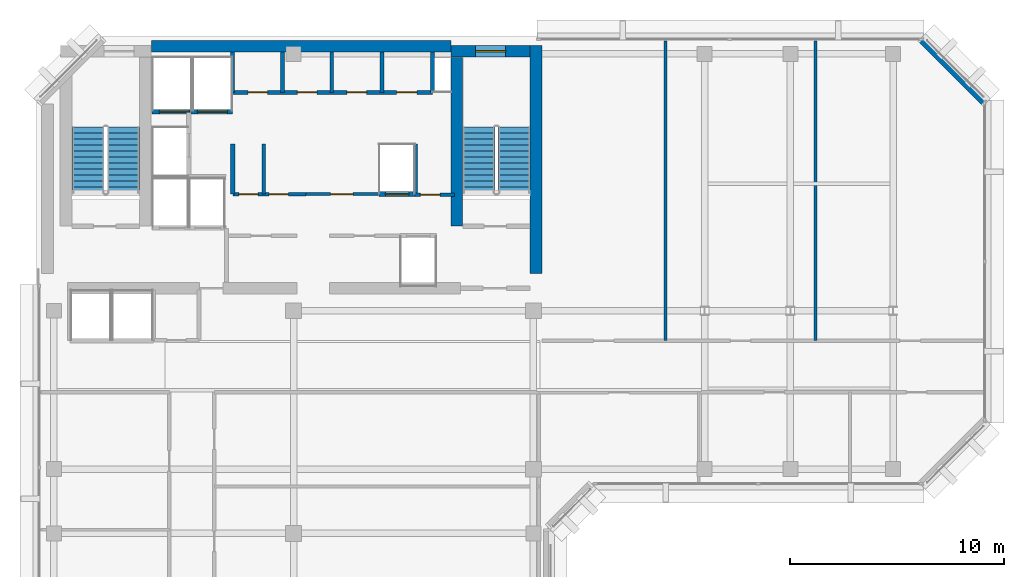
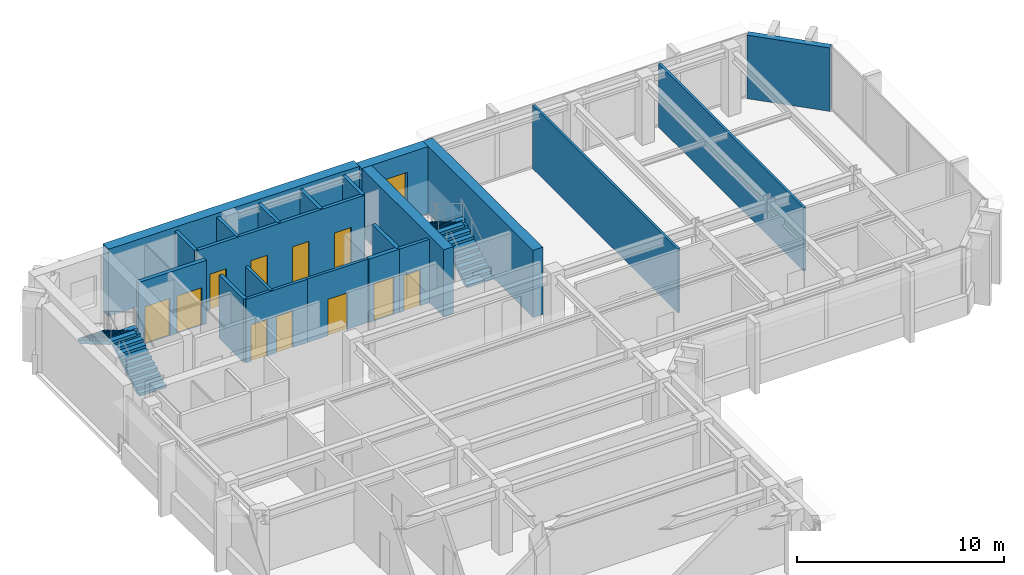
# One storey, part 8 of 12: 21 walls, 11 doors, 4 stair flights, 1 window, 12 openings, 2 elements without a shape of their own.
"""IFC4 building model written with IfcOpenShell, lengths in metres."""

from ifc_helpers import new_model, si_unit, direction, frame, frame_2d, origin, place, context, subcontext, project, spatial, polyline, rectangle, outline, extrude, material, layer, layer_set, type_object, element, fill, aggregate, save


model = new_model("IFC4")

# Units and contexts
model_context = context("Model", 3, precision=1e-05, world=origin(), true_north=direction((0.0, 1.0)))
body_context = subcontext(model_context, "Body", "Model", "MODEL_VIEW")
ifc_project = project(units=[si_unit("LENGTHUNIT", "METRE"), si_unit("AREAUNIT", "SQUARE_METRE"), si_unit("VOLUMEUNIT", "CUBIC_METRE"), si_unit("PLANEANGLEUNIT", "RADIAN"), si_unit("MASSUNIT", "GRAM", prefix="KILO")], contexts=[model_context])

# Site, building, storey
site_placement = place(None, origin())
site = spatial("IfcSite", under=ifc_project, at=site_placement, CompositionType="ELEMENT")
building_placement = place(site_placement, origin())
building = spatial("IfcBuilding", under=site, at=building_placement, Name="Kefirva Bronze Tower", CompositionType="ELEMENT")
storey_placement = place(building_placement, frame((0.0, 0.0, 296.010009765625)))
storey = spatial("IfcBuildingStorey", under=building, at=storey_placement, Name="L72", CompositionType="ELEMENT", Elevation=296.010009765625)

# Walls
ifc_material_1 = material(Name="Gypsum acoustic partition")
ifc_layer_1 = layer(ifc_material_1, 0.1298828125, Name="Gypsum acoustic partition")
ifc_layer_set_1 = layer_set([ifc_layer_1], Name="Gypsum acoustic partition")
wall_type_1 = type_object("IfcWallType", Name="Acoustic Office Partition 130mm", PredefinedType="PARTITIONING", material=ifc_layer_set_1)
for number, where, z_axis, x_axis, name in (
    (1, (29.370849609375, 31.800048828125, 0.0), (0.0, 0.0, 1.0), (0.0, 1.0, 0.0), "L72 Partition W-L72-END1"),
    (2, (36.378173828125, 31.800048828125, 0.0), (0.0, 0.0, 1.0), (0.0, 1.0, 0.0), "L72 Partition W-L72-END2"),
):
    element("IfcWall", number, at=place(storey_placement, frame(where, z_axis=z_axis, x_axis=x_axis)), inside=storey, type_object=wall_type_1, Name=name, PredefinedType="PARTITIONING", context=body_context, shape_type="SweptSolid", body=[
        extrude(rectangle(XDim=14.010009765625, YDim=0.1298828125, at=frame_2d((7.0048828125, 0.0))), origin(), (0.0, 0.0, 1.0), 3.739990234375),
    ])

# Wall, opening, door
ifc_layer_2 = layer(ifc_material_1, 0.14990234375, Name="Gypsum acoustic partition")
ifc_layer_set_2 = layer_set([ifc_layer_2], Name="Gypsum acoustic partition")
wall_type_2 = type_object("IfcWallType", Name="Executive Suite Partition 150mm", PredefinedType="PARTITIONING", material=ifc_layer_set_2)
wall_1_placement = place(storey_placement, frame((12.580078125, 38.64990234375, 0.0), z_axis=(0.0, 0.0, 1.0), x_axis=(1.0, 0.0, 0.0)))
wall_1 = element("IfcWall", 3, at=wall_1_placement, inside=storey, type_object=wall_type_2, Name="L72 Partition W-L72-RECMP2", PredefinedType="PARTITIONING", context=body_context, shape_type="SweptSolid", body=[
    extrude(rectangle(XDim=3.3798828125, YDim=0.14990234375, at=frame_2d((1.68994140625, 0.0))), origin(), (0.0, 0.0, 1.0), 3.739990234375),
])
opening_1_placement = place(wall_1_placement, frame((2.199951171875, 0.0, 0.0), z_axis=(0.0, 0.0, 1.0), x_axis=(-1.0, 0.0, 0.0)))
opening_1 = element("IfcOpeningElement", 4, at=opening_1_placement, cuts=wall_1, Name="Opening L72-D-RECMP2", PredefinedType="OPENING", context=body_context, shape_type="SweptSolid", body=[
    extrude(rectangle(XDim=1.050048828125, YDim=2.14990234375, at=frame_2d((0.52490234375, 1.074951171875))), frame((0.0, 0.0849609375, 0.0), z_axis=(0.0, -1.0, 0.0), x_axis=(1.0, 0.0, 0.0)), (0.0, 0.0, 1.0), 0.169921875),
])
ifc_material_2 = material(Name="Acoustic hardwood oak", Category="wood")
door_type_1 = type_object("IfcDoorType", Name="Executive & Boardroom Door 1050x2150", OperationType="NOTDEFINED", PredefinedType="DOOR", material=ifc_material_2)
door_1_placement = place(opening_1_placement, origin())
door_1 = element("IfcDoor", 5, at=door_1_placement, inside=storey, type_object=door_type_1, Name="Door L72-D-RECMP2", OperationType="SINGLE_SWING_RIGHT", OverallHeight=2.14990234375, OverallWidth=1.050048828125, PredefinedType="DOOR", context=body_context, shape_type="SweptSolid", body=[
    extrude(rectangle(XDim=1.050048828125, YDim=2.14990234375, at=frame_2d((0.52490234375, 1.074951171875))), frame((0.0, 0.02490234375, 0.0), z_axis=(0.0, -1.0, 0.0), x_axis=(1.0, 0.0, 0.0)), (0.0, 0.0, 1.0), 0.050048828125),
])
fill(opening_1, door_1)

# Wall, openings, doors
ifc_material_3 = material(Name="Gypsum fireboard shaftwall")
ifc_layer_3 = layer(ifc_material_3, 0.219970703125, Name="Gypsum fireboard shaftwall")
ifc_layer_set_3 = layer_set([ifc_layer_3], Name="Gypsum fireboard shaftwall")
wall_type_3 = type_object("IfcWallType", Name="Fire-Rated Shaft Enclosure Wall 220mm", PredefinedType="PARTITIONING", material=ifc_layer_set_3)
wall_2_placement = place(storey_placement, frame((5.3798828125, 42.5, 0.0), z_axis=(0.0, 0.0, 1.0), x_axis=(1.0, 0.0, 0.0)))
wall_2 = element("IfcWall", 6, at=wall_2_placement, inside=storey, type_object=wall_type_3, Name="L72 Partition W-L72-SVS", PredefinedType="PARTITIONING", context=body_context, shape_type="SweptSolid", body=[
    extrude(rectangle(XDim=3.77001953125, YDim=0.219970703125, at=frame_2d((1.885009765625, 0.0))), origin(), (0.0, 0.0, 1.0), 3.739990234375),
])
opening_2_placement = place(wall_2_placement, frame((1.75, 0.0, 0.0), z_axis=(0.0, 0.0, 1.0), x_axis=(-1.0, 0.0, 0.0)))
opening_2 = element("IfcOpeningElement", 7, at=opening_2_placement, cuts=wall_2, Name="Opening L72-LD-SV1", PredefinedType="OPENING", context=body_context, shape_type="SweptSolid", body=[
    extrude(rectangle(XDim=1.39990234375, YDim=2.199951171875, at=frame_2d((0.699951171875, 1.10009765625))), frame((0.0, 0.1201171875, 0.0), z_axis=(0.0, -1.0, 0.0), x_axis=(1.0, 0.0, 0.0)), (0.0, 0.0, 1.0), 0.239990234375),
])
opening_3_placement = place(wall_2_placement, frame((3.52978515625, 0.0, 0.0), z_axis=(0.0, 0.0, 1.0), x_axis=(-1.0, 0.0, 0.0)))
opening_3 = element("IfcOpeningElement", 8, at=opening_3_placement, cuts=wall_2, Name="Opening L72-LD-SV2", PredefinedType="OPENING", context=body_context, shape_type="SweptSolid", body=[
    extrude(rectangle(XDim=1.39990234375, YDim=2.199951171875, at=frame_2d((0.699951171875, 1.10009765625))), frame((0.0, 0.1201171875, 0.0), z_axis=(0.0, -1.0, 0.0), x_axis=(1.0, 0.0, 0.0)), (0.0, 0.0, 1.0), 0.239990234375),
])
ifc_material_4 = material(Name="Stainless steel 316", Category="steel")
door_type_2 = type_object("IfcDoorType", Name="Goods Lift Bi-Parting Sliding Door 1400x2200", OperationType="SLIDING_TO_LEFT", PredefinedType="DOOR", material=ifc_material_4)
door_2_placement = place(opening_2_placement, origin())
door_2 = element("IfcDoor", 9, at=door_2_placement, inside=storey, type_object=door_type_2, Name="Door L72-LD-SV1", OperationType="SLIDING_TO_LEFT", OverallHeight=2.199951171875, OverallWidth=1.39990234375, PredefinedType="DOOR", context=body_context, shape_type="SweptSolid", body=[
    extrude(rectangle(XDim=1.39990234375, YDim=2.199951171875, at=frame_2d((0.699951171875, 1.10009765625))), frame((0.0, 0.02490234375, 0.0), z_axis=(0.0, -1.0, 0.0), x_axis=(1.0, 0.0, 0.0)), (0.0, 0.0, 1.0), 0.050048828125),
])
fill(opening_2, door_2)
door_3_placement = place(opening_3_placement, origin())
door_3 = element("IfcDoor", 10, at=door_3_placement, inside=storey, type_object=door_type_2, Name="Door L72-LD-SV2", OperationType="SLIDING_TO_LEFT", OverallHeight=2.199951171875, OverallWidth=1.39990234375, PredefinedType="DOOR", context=body_context, shape_type="SweptSolid", body=[
    extrude(rectangle(XDim=1.39990234375, YDim=2.199951171875, at=frame_2d((0.699951171875, 1.10009765625))), frame((0.0, 0.02490234375, 0.0), z_axis=(0.0, -1.0, 0.0), x_axis=(1.0, 0.0, 0.0)), (0.0, 0.0, 1.0), 0.050048828125),
])
fill(opening_3, door_3)

# Walls
for number, where, z_axis, x_axis, name in (
    (11, (9.159912109375, 38.64990234375, 0.0), (0.0, 0.0, 1.0), (0.0, 1.0, 0.0), "L72 Partition W-L72-LP3W"),
    (12, (17.679931640625, 38.64990234375, 0.0), (0.0, 0.0, 1.0), (0.0, 1.0, 0.0), "L72 Partition W-L72-HP2E"),
):
    element("IfcWall", number, at=place(storey_placement, frame(where, z_axis=z_axis, x_axis=x_axis)), inside=storey, type_object=wall_type_3, Name=name, PredefinedType="PARTITIONING", context=body_context, shape_type="SweptSolid", body=[
        extrude(rectangle(XDim=2.35009765625, YDim=0.199951171875, at=frame_2d((1.175048828125, 0.0))), origin(), (0.0, 0.0, 1.0), 3.739990234375),
    ])

# Wall, opening, door
wall_3_placement = place(storey_placement, frame((15.97998046875, 38.64990234375, 0.0), z_axis=(0.0, 0.0, 1.0), x_axis=(1.0, 0.0, 0.0)))
wall_3 = element("IfcWall", 13, at=wall_3_placement, inside=storey, type_object=wall_type_3, Name="L72 Partition W-L72-HPN", PredefinedType="PARTITIONING", context=body_context, shape_type="SweptSolid", body=[
    extrude(rectangle(XDim=1.719970703125, YDim=0.219970703125, at=frame_2d((0.85986328125, 0.0))), origin(), (0.0, 0.0, 1.0), 3.739990234375),
])
opening_4_placement = place(wall_3_placement, frame((0.300048828125, 0.0, 0.0)))
opening_4 = element("IfcOpeningElement", 14, at=opening_4_placement, cuts=wall_3, Name="Opening L72-LD-HP2", PredefinedType="OPENING", context=body_context, shape_type="SweptSolid", body=[
    extrude(rectangle(XDim=1.10009765625, YDim=2.199951171875, at=frame_2d((0.550048828125, 1.10009765625))), frame((0.0, 0.1201171875, 0.0), z_axis=(0.0, -1.0, 0.0), x_axis=(1.0, 0.0, 0.0)), (0.0, 0.0, 1.0), 0.239990234375),
])
door_type_3 = type_object("IfcDoorType", Name="Passenger Lift Sliding Landing Door 1100x2200", OperationType="SLIDING_TO_LEFT", PredefinedType="DOOR", material=ifc_material_4)
door_4_placement = place(opening_4_placement, origin())
door_4 = element("IfcDoor", 15, at=door_4_placement, inside=storey, type_object=door_type_3, Name="Door L72-LD-HP2", OperationType="SLIDING_TO_LEFT", OverallHeight=2.199951171875, OverallWidth=1.10009765625, PredefinedType="DOOR", context=body_context, shape_type="SweptSolid", body=[
    extrude(rectangle(XDim=1.10009765625, YDim=2.199951171875, at=frame_2d((0.550048828125, 1.10009765625))), frame((0.0, 0.02490234375, 0.0), z_axis=(0.0, -1.0, 0.0), x_axis=(1.0, 0.0, 0.0)), (0.0, 0.0, 1.0), 0.050048828125),
])
fill(opening_4, door_4)

ifc_material_5 = material(Name="Gypsum fireboard barrier")
ifc_layer_4 = layer(ifc_material_5, 0.199951171875, Name="Gypsum fireboard barrier")
ifc_layer_set_4 = layer_set([ifc_layer_4], Name="Gypsum fireboard barrier")
wall_type_4 = type_object("IfcWallType", Name="Firefighting Lobby Barrier Wall 200mm", PredefinedType="PARTITIONING", material=ifc_layer_set_4)
wall_4_placement = place(storey_placement, frame((17.679931640625, 38.6201171875, 0.0), z_axis=(0.0, 0.0, 1.0), x_axis=(1.0, 0.0, 0.0)))
wall_4 = element("IfcWall", 16, at=wall_4_placement, inside=storey, type_object=wall_type_4, Name="L72 Partition W-L72-CPASS", PredefinedType="PARTITIONING", context=body_context, shape_type="SweptSolid", body=[
    extrude(rectangle(XDim=1.840087890625, YDim=0.179931640625, at=frame_2d((0.919921875, 0.0))), origin(), (0.0, 0.0, 1.0), 3.739990234375),
])
opening_5_placement = place(wall_4_placement, frame((0.239990234375, 0.0, 0.0)))
opening_5 = element("IfcOpeningElement", 17, at=opening_5_placement, cuts=wall_4, Name="Opening L72-D-CPAS", PredefinedType="OPENING", context=body_context, shape_type="SweptSolid", body=[
    extrude(rectangle(XDim=0.919921875, YDim=2.10009765625, at=frame_2d((0.4599609375, 1.050048828125))), frame((0.0, 0.10009765625, 0.0), z_axis=(0.0, -1.0, 0.0), x_axis=(1.0, 0.0, 0.0)), (0.0, 0.0, 1.0), 0.199951171875),
])
ifc_material_6 = material(Name="Moisture-resistant timber", Category="wood")
door_type_4 = type_object("IfcDoorType", Name="Accessible Sanitary & WC Door 920x2100", OperationType="NOTDEFINED", PredefinedType="DOOR", material=ifc_material_6)
door_5_placement = place(opening_5_placement, origin())
door_5 = element("IfcDoor", 18, at=door_5_placement, inside=storey, type_object=door_type_4, Name="Door L72-D-CPAS", OperationType="SINGLE_SWING_RIGHT", OverallHeight=2.10009765625, OverallWidth=0.919921875, PredefinedType="DOOR", context=body_context, shape_type="SweptSolid", body=[
    extrude(rectangle(XDim=0.919921875, YDim=2.10009765625, at=frame_2d((0.4599609375, 1.050048828125))), frame((0.0, 0.02490234375, 0.0), z_axis=(0.0, -1.0, 0.0), x_axis=(1.0, 0.0, 0.0)), (0.0, 0.0, 1.0), 0.050048828125),
])
fill(opening_5, door_5)

# Wall
ifc_material_7 = material(Name="Precast concrete C40/50", Category="concrete")
ifc_layer_5 = layer(ifc_material_7, 0.320068359375, Name="Precast concrete C40/50")
ifc_layer_set_5 = layer_set([ifc_layer_5], Name="Precast concrete C40/50")
wall_type_5 = type_object("IfcWallType", Name="Precast Insulated Exterior Wall 320mm", PredefinedType="SOLIDWALL", material=ifc_layer_set_5)
wall_5_placement = place(storey_placement, frame((44.248046875, 42.92578125, 0.0), z_axis=(0.0, 0.0, 1.0), x_axis=(-0.707136318428, 0.707077242712, 0.0)))
element("IfcWall", 19, at=wall_5_placement, inside=storey, type_object=wall_type_5, Name="L72 Exterior Facade Wall 8", PredefinedType="SOLIDWALL", context=body_context, shape_type="SweptSolid", body=[
    extrude(rectangle(XDim=4.132568359375, YDim=0.320068359375, at=frame_2d((2.06640625, 0.0))), origin(), (0.0, 0.0, 1.0), 3.739990234375),
])

# Wall, openings, doors
ifc_layer_6 = layer(ifc_material_1, 0.159912109375, Name="Gypsum acoustic partition")
ifc_layer_set_6 = layer_set([ifc_layer_6], Name="Gypsum acoustic partition")
wall_type_6 = type_object("IfcWallType", Name="Protected Corridor Partition 160mm", PredefinedType="PARTITIONING", material=ifc_layer_set_6)
wall_6_placement = place(storey_placement, frame((9.159912109375, 38.64990234375, 0.0), z_axis=(0.0, 0.0, 1.0), x_axis=(1.0, 0.0, 0.0)))
wall_6 = element("IfcWall", 20, at=wall_6_placement, inside=storey, type_object=wall_type_6, Name="L72 Partition W-L72-RECLP2", PredefinedType="PARTITIONING", context=body_context, shape_type="SweptSolid", body=[
    extrude(rectangle(XDim=3.420166015625, YDim=0.159912109375, at=frame_2d((1.7099609375, 0.0))), origin(), (0.0, 0.0, 1.0), 3.739990234375),
])
opening_6_placement = place(wall_6_placement, frame((1.179931640625, 0.0, 0.0), z_axis=(0.0, 0.0, 1.0), x_axis=(-1.0, 0.0, 0.0)))
opening_6 = element("IfcOpeningElement", 21, at=opening_6_placement, cuts=wall_6, Name="Opening L72-D-RECLP2A", PredefinedType="OPENING", context=body_context, shape_type="SweptSolid", body=[
    extrude(rectangle(XDim=0.89990234375, YDim=2.14990234375, at=frame_2d((0.449951171875, 1.074951171875))), frame((0.0, 0.08984375, 0.0), z_axis=(0.0, -1.0, 0.0), x_axis=(1.0, 0.0, 0.0)), (0.0, 0.0, 1.0), 0.179931640625),
])
opening_7_placement = place(wall_6_placement, frame((2.599853515625, 0.0, 0.0), z_axis=(0.0, 0.0, 1.0), x_axis=(-1.0, 0.0, 0.0)))
opening_7 = element("IfcOpeningElement", 22, at=opening_7_placement, cuts=wall_6, Name="Opening L72-D-RECLP2B", PredefinedType="OPENING", context=body_context, shape_type="SweptSolid", body=[
    extrude(rectangle(XDim=0.89990234375, YDim=2.14990234375, at=frame_2d((0.449951171875, 1.074951171875))), frame((0.0, 0.08984375, 0.0), z_axis=(0.0, -1.0, 0.0), x_axis=(1.0, 0.0, 0.0)), (0.0, 0.0, 1.0), 0.179931640625),
])
ifc_material_8 = material(Name="Painted galvanized steel", Category="steel")
door_type_5 = type_object("IfcDoorType", Name="Core Archive & Server Fire Door 900x2150 FD60S", OperationType="NOTDEFINED", PredefinedType="DOOR", material=ifc_material_8)
door_6_placement = place(opening_6_placement, origin())
door_6 = element("IfcDoor", 23, at=door_6_placement, inside=storey, type_object=door_type_5, Name="Door L72-D-RECLP2A", OperationType="SINGLE_SWING_LEFT", OverallHeight=2.14990234375, OverallWidth=0.89990234375, PredefinedType="DOOR", context=body_context, shape_type="SweptSolid", body=[
    extrude(rectangle(XDim=0.89990234375, YDim=2.14990234375, at=frame_2d((0.449951171875, 1.074951171875))), frame((0.0, 0.02490234375, 0.0), z_axis=(0.0, -1.0, 0.0), x_axis=(1.0, 0.0, 0.0)), (0.0, 0.0, 1.0), 0.050048828125),
])
fill(opening_6, door_6)
door_7_placement = place(opening_7_placement, origin())
door_7 = element("IfcDoor", 24, at=door_7_placement, inside=storey, type_object=door_type_5, Name="Door L72-D-RECLP2B", OperationType="SINGLE_SWING_RIGHT", OverallHeight=2.14990234375, OverallWidth=0.89990234375, PredefinedType="DOOR", context=body_context, shape_type="SweptSolid", body=[
    extrude(rectangle(XDim=0.89990234375, YDim=2.14990234375, at=frame_2d((0.449951171875, 1.074951171875))), frame((0.0, 0.02490234375, 0.0), z_axis=(0.0, -1.0, 0.0), x_axis=(1.0, 0.0, 0.0)), (0.0, 0.0, 1.0), 0.050048828125),
])
fill(opening_7, door_7)

# Walls
wall_7_placement = place(storey_placement, frame((10.60009765625, 38.64990234375, 0.0), z_axis=(0.0, 0.0, 1.0), x_axis=(0.0, 1.0, 0.0)))
element("IfcWall", 25, at=wall_7_placement, inside=storey, type_object=wall_type_6, Name="L72 Partition W-L72-RECLP2D", PredefinedType="PARTITIONING", context=body_context, shape_type="SweptSolid", body=[
    extrude(rectangle(XDim=2.35009765625, YDim=0.159912109375, at=frame_2d((1.175048828125, 0.0))), origin(), (0.0, 0.0, 1.0), 3.739990234375),
])
ifc_material_9 = material(Name="Concrete C50/60", Category="concrete")
ifc_layer_7 = layer(ifc_material_9, 0.550048828125, Name="Concrete C50/60")
ifc_layer_set_7 = layer_set([ifc_layer_7], Name="Concrete C50/60")
wall_type_7 = type_object("IfcWallType", Name="RC Rear Core Exterior Wall 550mm", PredefinedType="SHEAR", material=ifc_layer_set_7)
wall_8_placement = place(storey_placement, frame((5.360107421875, 45.550048828125, 0.0), z_axis=(0.0, 0.0, 1.0), x_axis=(1.0, 0.0, 0.0)))
element("IfcWall", 26, at=wall_8_placement, inside=storey, type_object=wall_type_7, Name="L72 Rear Core North Shear Wall", PredefinedType="SHEAR", context=body_context, shape_type="SweptSolid", body=[
    extrude(rectangle(XDim=13.97998046875, YDim=0.550048828125, at=frame_2d((6.989990234375, 0.0))), origin(), (0.0, 0.0, 1.0), 3.9599609375),
])

# Wall, opening, window
wall_9_placement = place(storey_placement, frame((19.35009765625, 45.320068359375, 0.0), z_axis=(0.0, 0.0, 1.0), x_axis=(1.0, 0.0, 0.0)))
wall_9 = element("IfcWall", 27, at=wall_9_placement, inside=storey, type_object=wall_type_7, Name="L72 Stair 2 North Shear Wall", PredefinedType="SHEAR", context=body_context, shape_type="SweptSolid", body=[
    extrude(rectangle(XDim=3.68994140625, YDim=0.550048828125, at=frame_2d((1.844970703125, 0.0))), origin(), (0.0, 0.0, 1.0), 3.9599609375),
])
opening_8_placement = place(wall_9_placement, frame((1.14990234375, 0.0, 1.050048828125)))
opening_8 = element("IfcOpeningElement", 28, at=opening_8_placement, cuts=wall_9, Name="Opening WN-03", PredefinedType="OPENING", context=body_context, shape_type="SweptSolid", body=[
    extrude(rectangle(XDim=1.39990234375, YDim=1.800048828125, at=frame_2d((0.699951171875, 0.89990234375))), frame((0.0, 0.28515625, 0.0), z_axis=(0.0, -1.0, 0.0), x_axis=(1.0, 0.0, 0.0)), (0.0, 0.0, 1.0), 0.570068359375),
])
ifc_material_10 = material(Name="Laminated low-E double glazing", Category="glass")
window_type = type_object("IfcWindowType", Name="Rear-Core Stair Daylight Window 1400x1800", PartitioningType="SINGLE_PANEL", PredefinedType="WINDOW", material=ifc_material_10)
window_placement = place(opening_8_placement, origin())
window = element("IfcWindow", 29, at=window_placement, inside=storey, type_object=window_type, Name="L72 Stair 2 Daylight Window", OverallHeight=1.800048828125, OverallWidth=1.39990234375, PartitioningType="SINGLE_PANEL", PredefinedType="WINDOW", context=body_context, shape_type="SweptSolid", body=[
    extrude(rectangle(XDim=1.39990234375, YDim=1.800048828125, at=frame_2d((0.699951171875, 0.89990234375))), frame((0.0, 0.030029296875, 0.0), z_axis=(0.0, -1.0, 0.0), x_axis=(1.0, 0.0, 0.0)), (0.0, 0.0, 1.0), 0.06005859375),
])
fill(opening_8, window)

# Walls
ifc_layer_8 = layer(ifc_material_9, 0.550048828125, Name="Concrete C50/60")
ifc_layer_set_8 = layer_set([ifc_layer_8], Name="Concrete C50/60")
wall_type_8 = type_object("IfcWallType", Name="RC Rear Core Interior Wall 550mm", PredefinedType="SHEAR", material=ifc_layer_set_8)
wall_10_placement = place(storey_placement, frame((23.324951171875, 34.949951171875, 0.0), z_axis=(0.0, 0.0, 1.0), x_axis=(0.0, 1.0, 0.0)))
element("IfcWall", 30, at=wall_10_placement, inside=storey, type_object=wall_type_8, Name="L72 Rear Core East Shear Wall", PredefinedType="SHEAR", context=body_context, shape_type="SweptSolid", body=[
    extrude(rectangle(XDim=10.64013671875, YDim=0.550048828125, at=frame_2d((5.320068359375, 0.0))), origin(), (0.0, 0.0, 1.0), 3.9599609375),
])
wall_11_placement = place(storey_placement, frame((19.6201171875, 37.14990234375, 0.0), z_axis=(0.0, 0.0, 1.0), x_axis=(0.0, 1.0, 0.0)))
element("IfcWall", 31, at=wall_11_placement, inside=storey, type_object=wall_type_8, Name="L72 Stair 2 West Shear Wall", PredefinedType="SHEAR", context=body_context, shape_type="SweptSolid", body=[
    extrude(rectangle(XDim=7.89013671875, YDim=0.550048828125, at=frame_2d((3.945068359375, 0.0))), origin(), (0.0, 0.0, 1.0), 3.9599609375),
])

# Wall, openings, doors
ifc_material_11 = material(Name="Moisture-resistant partition")
ifc_layer_9 = layer(ifc_material_11, 0.179931640625, Name="Moisture-resistant partition")
ifc_layer_set_9 = layer_set([ifc_layer_9], Name="Moisture-resistant partition")
wall_type_9 = type_object("IfcWallType", Name="Sanitary Plumbing Chase Wall 180mm", PredefinedType="PLUMBINGWALL", material=ifc_layer_set_9)
wall_12_placement = place(storey_placement, frame((9.14990234375, 43.39990234375, 0.0), z_axis=(0.0, 0.0, 1.0), x_axis=(1.0, 0.0, 0.0)))
wall_12 = element("IfcWall", 32, at=wall_12_placement, inside=storey, type_object=wall_type_9, Name="L72 Partition W-L72-SVCS", PredefinedType="PLUMBINGWALL", context=body_context, shape_type="SweptSolid", body=[
    extrude(rectangle(XDim=9.330078125, YDim=0.179931640625, at=frame_2d((4.6650390625, 0.0))), origin(), (0.0, 0.0, 1.0), 3.739990234375),
])
opening_9_placement = place(wall_12_placement, frame((0.719970703125, 0.0, 0.0)))
opening_9 = element("IfcOpeningElement", 33, at=opening_9_placement, cuts=wall_12, Name="Opening L72-D-CSVC1", PredefinedType="OPENING", context=body_context, shape_type="SweptSolid", body=[
    extrude(rectangle(XDim=0.919921875, YDim=2.10009765625, at=frame_2d((0.4599609375, 1.050048828125))), frame((0.0, 0.10009765625, 0.0), z_axis=(0.0, -1.0, 0.0), x_axis=(1.0, 0.0, 0.0)), (0.0, 0.0, 1.0), 0.199951171875),
])
opening_10_placement = place(wall_12_placement, frame((3.02001953125, 0.0, 0.0)))
opening_10 = element("IfcOpeningElement", 34, at=opening_10_placement, cuts=wall_12, Name="Opening L72-D-CSVC2", PredefinedType="OPENING", context=body_context, shape_type="SweptSolid", body=[
    extrude(rectangle(XDim=0.919921875, YDim=2.10009765625, at=frame_2d((0.4599609375, 1.050048828125))), frame((0.0, 0.10009765625, 0.0), z_axis=(0.0, -1.0, 0.0), x_axis=(1.0, 0.0, 0.0)), (0.0, 0.0, 1.0), 0.199951171875),
])
opening_11_placement = place(wall_12_placement, frame((5.340087890625, 0.0, 0.0)))
opening_11 = element("IfcOpeningElement", 35, at=opening_11_placement, cuts=wall_12, Name="Opening L72-D-CSVC3", PredefinedType="OPENING", context=body_context, shape_type="SweptSolid", body=[
    extrude(rectangle(XDim=0.919921875, YDim=2.10009765625, at=frame_2d((0.4599609375, 1.050048828125))), frame((0.0, 0.10009765625, 0.0), z_axis=(0.0, -1.0, 0.0), x_axis=(1.0, 0.0, 0.0)), (0.0, 0.0, 1.0), 0.199951171875),
])
opening_12_placement = place(wall_12_placement, frame((7.659912109375, 0.0, 0.0)))
opening_12 = element("IfcOpeningElement", 36, at=opening_12_placement, cuts=wall_12, Name="Opening L72-D-CSVC4", PredefinedType="OPENING", context=body_context, shape_type="SweptSolid", body=[
    extrude(rectangle(XDim=0.949951171875, YDim=2.10009765625, at=frame_2d((0.47509765625, 1.050048828125))), frame((0.0, 0.10009765625, 0.0), z_axis=(0.0, -1.0, 0.0), x_axis=(1.0, 0.0, 0.0)), (0.0, 0.0, 1.0), 0.199951171875),
])
door_8_placement = place(opening_9_placement, origin())
door_8 = element("IfcDoor", 37, at=door_8_placement, inside=storey, type_object=door_type_4, Name="Door L72-D-CSVC1", OperationType="SINGLE_SWING_LEFT", OverallHeight=2.10009765625, OverallWidth=0.919921875, PredefinedType="DOOR", context=body_context, shape_type="SweptSolid", body=[
    extrude(rectangle(XDim=0.919921875, YDim=2.10009765625, at=frame_2d((0.4599609375, 1.050048828125))), frame((0.0, 0.02490234375, 0.0), z_axis=(0.0, -1.0, 0.0), x_axis=(1.0, 0.0, 0.0)), (0.0, 0.0, 1.0), 0.050048828125),
])
fill(opening_9, door_8)
door_9_placement = place(opening_10_placement, origin())
door_9 = element("IfcDoor", 38, at=door_9_placement, inside=storey, type_object=door_type_4, Name="Door L72-D-CSVC2", OperationType="SINGLE_SWING_RIGHT", OverallHeight=2.10009765625, OverallWidth=0.919921875, PredefinedType="DOOR", context=body_context, shape_type="SweptSolid", body=[
    extrude(rectangle(XDim=0.919921875, YDim=2.10009765625, at=frame_2d((0.4599609375, 1.050048828125))), frame((0.0, 0.02490234375, 0.0), z_axis=(0.0, -1.0, 0.0), x_axis=(1.0, 0.0, 0.0)), (0.0, 0.0, 1.0), 0.050048828125),
])
fill(opening_10, door_9)
door_10_placement = place(opening_11_placement, origin())
door_10 = element("IfcDoor", 39, at=door_10_placement, inside=storey, type_object=door_type_4, Name="Door L72-D-CSVC3", OperationType="SINGLE_SWING_LEFT", OverallHeight=2.10009765625, OverallWidth=0.919921875, PredefinedType="DOOR", context=body_context, shape_type="SweptSolid", body=[
    extrude(rectangle(XDim=0.919921875, YDim=2.10009765625, at=frame_2d((0.4599609375, 1.050048828125))), frame((0.0, 0.02490234375, 0.0), z_axis=(0.0, -1.0, 0.0), x_axis=(1.0, 0.0, 0.0)), (0.0, 0.0, 1.0), 0.050048828125),
])
fill(opening_11, door_10)
door_type_6 = type_object("IfcDoorType", Name="Riser & Plant Shaft Fire Door 950x2100 FD60S", OperationType="NOTDEFINED", PredefinedType="DOOR", material=ifc_material_8)
door_11_placement = place(opening_12_placement, origin())
door_11 = element("IfcDoor", 40, at=door_11_placement, inside=storey, type_object=door_type_6, Name="Door L72-D-CSVC4", OperationType="SINGLE_SWING_RIGHT", OverallHeight=2.10009765625, OverallWidth=0.949951171875, PredefinedType="DOOR", context=body_context, shape_type="SweptSolid", body=[
    extrude(rectangle(XDim=0.949951171875, YDim=2.10009765625, at=frame_2d((0.47509765625, 1.050048828125))), frame((0.0, 0.02490234375, 0.0), z_axis=(0.0, -1.0, 0.0), x_axis=(1.0, 0.0, 0.0)), (0.0, 0.0, 1.0), 0.050048828125),
])
fill(opening_12, door_11)

# Walls
for number, where, z_axis, x_axis, name in (
    (41, (9.14990234375, 43.39990234375, 0.0), (0.0, 0.0, 1.0), (0.0, 1.0, 0.0), "L72 Partition W-L72-SVCW"),
    (42, (18.47998046875, 43.39990234375, 0.0), (0.0, 0.0, 1.0), (0.0, 1.0, 0.0), "L72 Partition W-L72-SVCE"),
    (43, (11.47998046875, 43.39990234375, 0.0), (0.0, 0.0, 1.0), (0.0, 1.0, 0.0), "L72 Partition W-L72-CSVD-1"),
    (44, (13.780029296875, 43.39990234375, 0.0), (0.0, 0.0, 1.0), (0.0, 1.0, 0.0), "L72 Partition W-L72-CSVD-2"),
    (45, (16.1201171875, 43.39990234375, 0.0), (0.0, 0.0, 1.0), (0.0, 1.0, 0.0), "L72 Partition W-L72-CSVD-3"),
):
    element("IfcWall", number, at=place(storey_placement, frame(where, z_axis=z_axis, x_axis=x_axis)), inside=storey, type_object=wall_type_9, Name=name, PredefinedType="PLUMBINGWALL", context=body_context, shape_type="SweptSolid", body=[
        extrude(rectangle(XDim=1.880126953125, YDim=0.179931640625, at=frame_2d((0.93994140625, 0.0))), origin(), (0.0, 0.0, 1.0), 3.739990234375),
    ])

# Stair, stair flights
ifc_material_12 = material(Name="Concrete C40/50", Category="concrete")
stair_type = type_object("IfcStairType", Name="RC Dogleg Protected Stair 24R", PredefinedType="HALF_TURN_STAIR", material=ifc_material_12)
stair_1_placement = place(storey_placement, origin())
stair_1 = element("IfcStair", 46, at=stair_1_placement, inside=storey, type_object=stair_type, Name="L72 Protected Exit Stair 1", PredefinedType="HALF_TURN_STAIR")
stair_flight_type = type_object("IfcStairFlightType", Name="RC Straight Stair Flight 24R", PredefinedType="STRAIGHT", material=ifc_material_12)
stair_flight_1_placement = place(storey_placement, frame((4.050048828125, 38.699951171875, 0.0), z_axis=(0.0, 0.0, 1.0), x_axis=(0.0, 1.0, 0.0)))
stair_flight_1 = element("IfcStairFlight", 47, at=stair_flight_1_placement, type_object=stair_flight_type, Name="ST-1 flight 1", NumberOfRisers=12, NumberOfTreads=11, PredefinedType="STRAIGHT", RiserHeight=0.165, TreadLength=0.28, context=body_context, shape_type="SweptSolid", body=[
    extrude(outline(polyline([(0.0, 0.0), (0.0, 0.1650390625), (0.280029296875, 0.1650390625), (0.280029296875, 0.330078125), (0.56005859375, 0.330078125), (0.56005859375, 0.4951171875), (0.840087890625, 0.4951171875), (0.840087890625, 0.659912109375), (1.1201171875, 0.659912109375), (1.1201171875, 0.824951171875), (1.39990234375, 0.824951171875), (1.39990234375, 0.989990234375), (1.679931640625, 0.989990234375), (1.679931640625, 1.155029296875), (1.9599609375, 1.155029296875), (1.9599609375, 1.320068359375), (2.239990234375, 1.320068359375), (2.239990234375, 1.485107421875), (2.52001953125, 1.485107421875), (2.52001953125, 1.64990234375), (2.800048828125, 1.64990234375), (2.800048828125, 1.81494140625), (3.080078125, 1.81494140625), (3.080078125, 1.97998046875), (3.080078125, 1.64111328125), (0.295166015625, 0.0), (0.0, 0.0)])), frame((0.0, 0.75, 0.0), z_axis=(0.0, -1.0, 0.0), x_axis=(1.0, 0.0, 0.0)), (0.0, 0.0, 1.0), 1.5),
])
stair_flight_2_placement = place(storey_placement, frame((2.39990234375, 41.780029296875, 1.97998046875), z_axis=(0.0, 0.0, 1.0), x_axis=(0.0, -1.0, 0.0)))
stair_flight_2 = element("IfcStairFlight", 48, at=stair_flight_2_placement, type_object=stair_flight_type, Name="ST-1 flight 2", NumberOfRisers=12, NumberOfTreads=11, PredefinedType="STRAIGHT", RiserHeight=0.165, TreadLength=0.28, context=body_context, shape_type="SweptSolid", body=[
    extrude(outline(polyline([(0.0, 0.0), (0.0, 0.1650390625), (0.280029296875, 0.1650390625), (0.280029296875, 0.330078125), (0.56005859375, 0.330078125), (0.56005859375, 0.4951171875), (0.840087890625, 0.4951171875), (0.840087890625, 0.659912109375), (1.1201171875, 0.659912109375), (1.1201171875, 0.824951171875), (1.39990234375, 0.824951171875), (1.39990234375, 0.989990234375), (1.679931640625, 0.989990234375), (1.679931640625, 1.155029296875), (1.9599609375, 1.155029296875), (1.9599609375, 1.320068359375), (2.239990234375, 1.320068359375), (2.239990234375, 1.485107421875), (2.52001953125, 1.485107421875), (2.52001953125, 1.64990234375), (2.800048828125, 1.64990234375), (2.800048828125, 1.81494140625), (3.080078125, 1.81494140625), (3.080078125, 1.97998046875), (3.080078125, 1.64111328125), (0.295166015625, 0.0), (0.0, 0.0)])), frame((0.0, 0.75, 0.0), z_axis=(0.0, -1.0, 0.0), x_axis=(1.0, 0.0, 0.0)), (0.0, 0.0, 1.0), 1.5),
])
aggregate(stair_1, [stair_flight_1, stair_flight_2])

stair_2_placement = place(storey_placement, origin())
stair_2 = element("IfcStair", 49, at=stair_2_placement, inside=storey, type_object=stair_type, Name="L72 Protected Exit Stair 2", PredefinedType="HALF_TURN_STAIR")
stair_flight_3_placement = place(storey_placement, frame((22.300048828125, 38.699951171875, 0.0), z_axis=(0.0, 0.0, 1.0), x_axis=(0.0, 1.0, 0.0)))
stair_flight_3 = element("IfcStairFlight", 50, at=stair_flight_3_placement, type_object=stair_flight_type, Name="ST-2 flight 1", NumberOfRisers=12, NumberOfTreads=11, PredefinedType="STRAIGHT", RiserHeight=0.165, TreadLength=0.28, context=body_context, shape_type="SweptSolid", body=[
    extrude(outline(polyline([(0.0, 0.0), (0.0, 0.1650390625), (0.280029296875, 0.1650390625), (0.280029296875, 0.330078125), (0.56005859375, 0.330078125), (0.56005859375, 0.4951171875), (0.840087890625, 0.4951171875), (0.840087890625, 0.659912109375), (1.1201171875, 0.659912109375), (1.1201171875, 0.824951171875), (1.39990234375, 0.824951171875), (1.39990234375, 0.989990234375), (1.679931640625, 0.989990234375), (1.679931640625, 1.155029296875), (1.9599609375, 1.155029296875), (1.9599609375, 1.320068359375), (2.239990234375, 1.320068359375), (2.239990234375, 1.485107421875), (2.52001953125, 1.485107421875), (2.52001953125, 1.64990234375), (2.800048828125, 1.64990234375), (2.800048828125, 1.81494140625), (3.080078125, 1.81494140625), (3.080078125, 1.97998046875), (3.080078125, 1.64111328125), (0.295166015625, 0.0), (0.0, 0.0)])), frame((0.0, 0.75, 0.0), z_axis=(0.0, -1.0, 0.0), x_axis=(1.0, 0.0, 0.0)), (0.0, 0.0, 1.0), 1.5),
])
stair_flight_4_placement = place(storey_placement, frame((20.64990234375, 41.780029296875, 1.97998046875), z_axis=(0.0, 0.0, 1.0), x_axis=(0.0, -1.0, 0.0)))
stair_flight_4 = element("IfcStairFlight", 51, at=stair_flight_4_placement, type_object=stair_flight_type, Name="ST-2 flight 2", NumberOfRisers=12, NumberOfTreads=11, PredefinedType="STRAIGHT", RiserHeight=0.165, TreadLength=0.28, context=body_context, shape_type="SweptSolid", body=[
    extrude(outline(polyline([(0.0, 0.0), (0.0, 0.1650390625), (0.280029296875, 0.1650390625), (0.280029296875, 0.330078125), (0.56005859375, 0.330078125), (0.56005859375, 0.4951171875), (0.840087890625, 0.4951171875), (0.840087890625, 0.659912109375), (1.1201171875, 0.659912109375), (1.1201171875, 0.824951171875), (1.39990234375, 0.824951171875), (1.39990234375, 0.989990234375), (1.679931640625, 0.989990234375), (1.679931640625, 1.155029296875), (1.9599609375, 1.155029296875), (1.9599609375, 1.320068359375), (2.239990234375, 1.320068359375), (2.239990234375, 1.485107421875), (2.52001953125, 1.485107421875), (2.52001953125, 1.64990234375), (2.800048828125, 1.64990234375), (2.800048828125, 1.81494140625), (3.080078125, 1.81494140625), (3.080078125, 1.97998046875), (3.080078125, 1.64111328125), (0.295166015625, 0.0), (0.0, 0.0)])), frame((0.0, 0.75, 0.0), z_axis=(0.0, -1.0, 0.0), x_axis=(1.0, 0.0, 0.0)), (0.0, 0.0, 1.0), 1.5),
])
aggregate(stair_2, [stair_flight_3, stair_flight_4])

save(model, "model.ifc")
